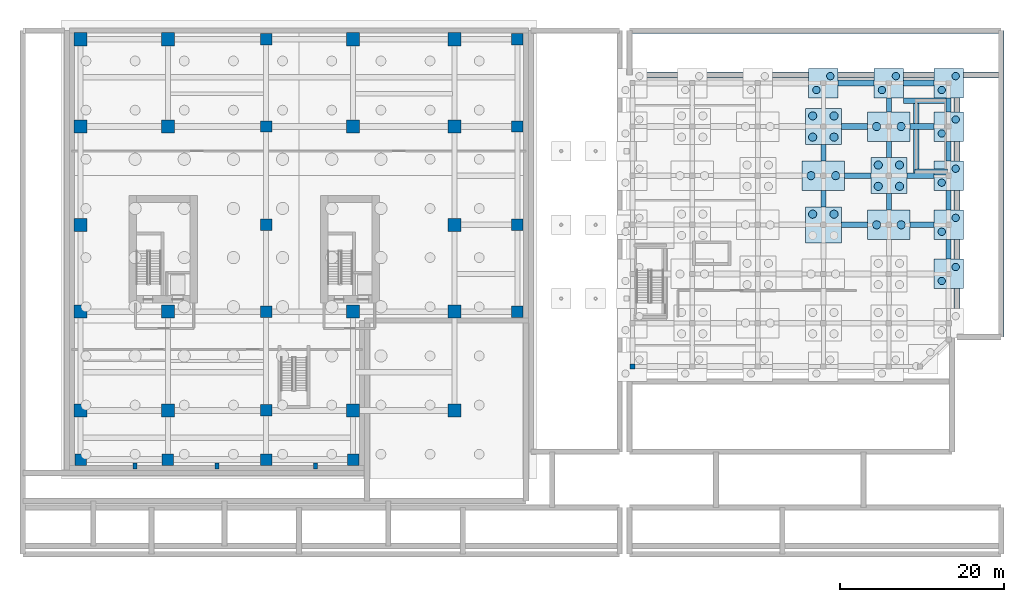
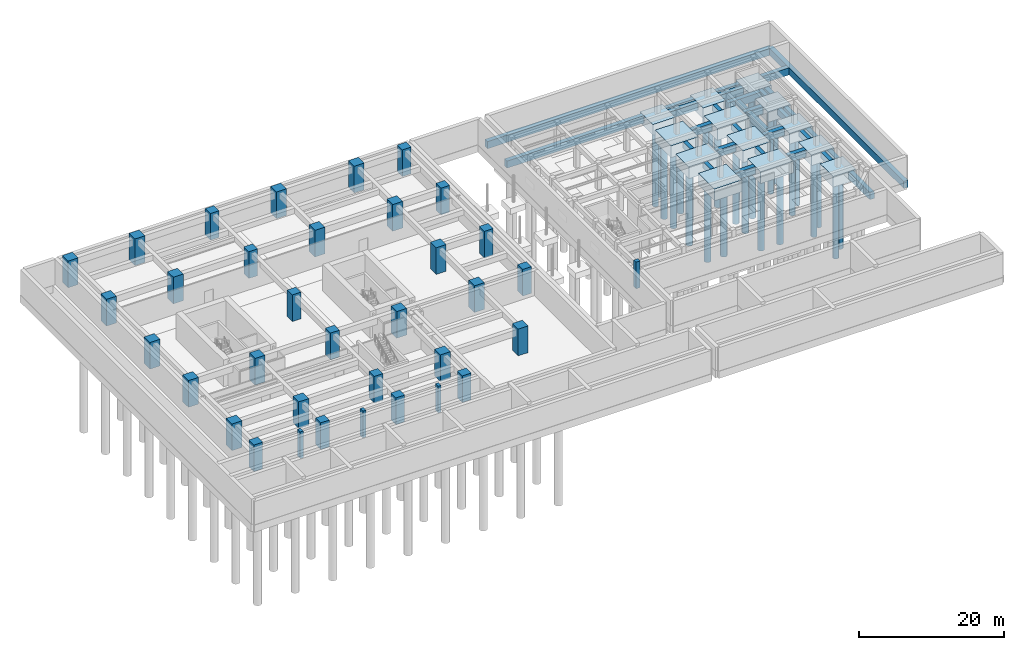
# One storey, part 3 of 14: 37 footings, 35 columns, 30 piles.
"""IFC4 building model written with IfcOpenShell, lengths in metres."""

from ifc_helpers import new_model, si_unit, direction, frame, origin, origin_2d, place, context, subcontext, project, spatial, rectangle, circle, extrude, source, transform, mapped, material, material_profile, profile_set, type_object, element, save


model = new_model("IFC4")

# Units and contexts
model_context = context("Model", 3, precision=1e-05, world=origin(), true_north=direction((0.0, 1.0)))
body_context = subcontext(model_context, "Body", "Model", "MODEL_VIEW")
ifc_project = project(units=[si_unit("LENGTHUNIT", "METRE"), si_unit("AREAUNIT", "SQUARE_METRE"), si_unit("VOLUMEUNIT", "CUBIC_METRE"), si_unit("PLANEANGLEUNIT", "RADIAN"), si_unit("MASSUNIT", "GRAM", prefix="KILO")], contexts=[model_context])

# Site, building, storey
site_placement = place(None, origin())
site = spatial("IfcSite", under=ifc_project, at=site_placement, CompositionType="ELEMENT")
building_placement = place(site_placement, origin())
building = spatial("IfcBuilding", under=site, at=building_placement, Name="Khoralis Quay Care Tower", CompositionType="ELEMENT")
storey_placement = place(building_placement, frame((0.0, 0.0, -4.5)))
storey = spatial("IfcBuildingStorey", under=building, at=storey_placement, Name="B1", CompositionType="ELEMENT", Elevation=-4.5)

# Footings
ifc_material_1 = material(Name="Concrete C50/60", Category="concrete")
footing_type_1 = type_object("IfcFootingType", Name="FT-PC-3600", PredefinedType="PILE_CAP", material=ifc_material_1)
shared_shape_1 = source(origin(), body_context, "Body", "SweptSolid", [
    extrude(rectangle(XDim=3.60009765625, YDim=3.60009765625, at=origin_2d()), origin(), (0.0, 0.0, 1.0), 1.800048828125),
])
for number, where, z_axis, x_axis, name in (
    (1, (92.0, 41.300048828125, -1.7998046875), (0.0, 0.0, 1.0), (1.0, 0.0, 0.0), "School Pile Cap 28"),
    (2, (100.0, 41.300048828125, -1.7998046875), (0.0, 0.0, 1.0), (1.0, 0.0, 0.0), "School Pile Cap 35"),
    (3, (107.300048828125, 18.0, -1.7998046875), (0.0, 0.0, 1.0), (1.0, 0.0, 0.0), "School Pile Cap 38"),
    (4, (107.300048828125, 24.0, -1.7998046875), (0.0, 0.0, 1.0), (1.0, 0.0, 0.0), "School Pile Cap 39"),
    (5, (107.300048828125, 30.0, -1.7998046875), (0.0, 0.0, 1.0), (1.0, 0.0, 0.0), "School Pile Cap 40"),
    (6, (107.300048828125, 36.0, -1.7998046875), (0.0, 0.0, 1.0), (1.0, 0.0, 0.0), "School Pile Cap 41"),
    (7, (107.300048828125, 41.300048828125, -1.7998046875), (0.0, 0.0, 1.0), (1.0, 0.0, 0.0), "School Pile Cap 42"),
):
    element("IfcFooting", number, at=place(storey_placement, frame(where, z_axis=z_axis, x_axis=x_axis)), inside=storey, type_object=footing_type_1, Name=name, PredefinedType="PILE_CAP", context=body_context, shape_type="MappedRepresentation", body=[
        mapped(shared_shape_1, transform((0.0, 0.0, 0.0), scale=1.0)),
    ])

# Piles
ifc_material_profile_1 = material_profile(ifc_material_1, circle(Radius=0.449951171875, at=origin_2d()), Name="Concrete C50/60")
ifc_profile_set_1 = profile_set([ifc_material_profile_1], Name="Concrete C50/60")
pile_type_1 = type_object("IfcPileType", Name="PL-BORED-900", PredefinedType="BORED", material=ifc_profile_set_1)
shared_shape_2 = source(origin(), body_context, "Body", "SweptSolid", [
    extrude(circle(Radius=0.449951171875, at=origin_2d()), origin(), (0.0, 0.0, 1.0), 12.800048828125),
])
for number, where, z_axis, x_axis, name in (
    (8, (91.14990234375, 40.449951171875, -1.699951171875), (0.0, 0.0, -1.0), (1.0, 0.0, 0.0), "School Bored Pile 071"),
    (9, (92.85009765625, 42.14990234375, -1.699951171875), (0.0, 0.0, -1.0), (1.0, 0.0, 0.0), "School Bored Pile 072"),
    (10, (99.14990234375, 40.449951171875, -1.699951171875), (0.0, 0.0, -1.0), (1.0, 0.0, 0.0), "School Bored Pile 091"),
    (11, (100.85009765625, 42.14990234375, -1.699951171875), (0.0, 0.0, -1.0), (1.0, 0.0, 0.0), "School Bored Pile 092"),
    (12, (106.449951171875, 17.14990234375, -1.699951171875), (0.0, 0.0, -1.0), (1.0, 0.0, 0.0), "School Bored Pile 097"),
    (13, (108.14990234375, 18.85009765625, -1.699951171875), (0.0, 0.0, -1.0), (1.0, 0.0, 0.0), "School Bored Pile 098"),
    (14, (106.449951171875, 23.14990234375, -1.699951171875), (0.0, 0.0, -1.0), (1.0, 0.0, 0.0), "School Bored Pile 099"),
    (15, (108.14990234375, 24.85009765625, -1.699951171875), (0.0, 0.0, -1.0), (1.0, 0.0, 0.0), "School Bored Pile 100"),
    (16, (106.449951171875, 29.14990234375, -1.699951171875), (0.0, 0.0, -1.0), (1.0, 0.0, 0.0), "School Bored Pile 101"),
    (17, (108.14990234375, 30.85009765625, -1.699951171875), (0.0, 0.0, -1.0), (1.0, 0.0, 0.0), "School Bored Pile 102"),
    (18, (106.449951171875, 35.14990234375, -1.699951171875), (0.0, 0.0, -1.0), (1.0, 0.0, 0.0), "School Bored Pile 103"),
    (19, (108.14990234375, 36.85009765625, -1.699951171875), (0.0, 0.0, -1.0), (1.0, 0.0, 0.0), "School Bored Pile 104"),
    (20, (106.449951171875, 40.449951171875, -1.699951171875), (0.0, 0.0, -1.0), (1.0, 0.0, 0.0), "School Bored Pile 105"),
    (21, (108.14990234375, 42.14990234375, -1.699951171875), (0.0, 0.0, -1.0), (1.0, 0.0, 0.0), "School Bored Pile 106"),
):
    element("IfcPile", number, at=place(storey_placement, frame(where, z_axis=z_axis, x_axis=x_axis)), inside=storey, type_object=pile_type_1, Name=name, PredefinedType="BORED", context=body_context, shape_type="MappedRepresentation", body=[
        mapped(shared_shape_2, transform((0.0, 0.0, 0.0), scale=1.0)),
    ])

# Footings
footing_type_2 = type_object("IfcFootingType", Name="FT-PC-4400", PredefinedType="PILE_CAP", material=ifc_material_1)
shared_shape_3 = source(origin(), body_context, "Body", "SweptSolid", [
    extrude(rectangle(XDim=4.39990234375, YDim=4.39990234375, at=origin_2d()), origin(), (0.0, 0.0, 1.0), 2.0),
])
for number, where, z_axis, x_axis, name in (
    (22, (92.0, 24.0, -2.0), (0.0, 0.0, 1.0), (1.0, 0.0, 0.0), "School Pile Cap 25"),
    (23, (92.0, 36.0, -2.0), (0.0, 0.0, 1.0), (1.0, 0.0, 0.0), "School Pile Cap 27"),
    (24, (100.0, 30.0, -2.0), (0.0, 0.0, 1.0), (1.0, 0.0, 0.0), "School Pile Cap 33"),
):
    element("IfcFooting", number, at=place(storey_placement, frame(where, z_axis=z_axis, x_axis=x_axis)), inside=storey, type_object=footing_type_2, Name=name, PredefinedType="PILE_CAP", context=body_context, shape_type="MappedRepresentation", body=[
        mapped(shared_shape_3, transform((0.0, 0.0, 0.0), scale=1.0)),
    ])

# Piles
ifc_material_profile_2 = material_profile(ifc_material_1, circle(Radius=0.5, at=origin_2d()), Name="Concrete C50/60")
ifc_profile_set_2 = profile_set([ifc_material_profile_2], Name="Concrete C50/60")
pile_type_2 = type_object("IfcPileType", Name="PL-BORED-1000", PredefinedType="BORED", material=ifc_profile_set_2)
shared_shape_4 = source(origin(), body_context, "Body", "SweptSolid", [
    extrude(circle(Radius=0.5, at=origin_2d()), origin(), (0.0, 0.0, 1.0), 12.60009765625),
])
for number, where, z_axis, x_axis, name in (
    (25, (90.699951171875, 25.300048828125, -1.89990234375), (0.0, 0.0, -1.0), (1.0, 0.0, 0.0), "School Bored Pile 063"),
    (26, (93.300048828125, 25.300048828125, -1.89990234375), (0.0, 0.0, -1.0), (1.0, 0.0, 0.0), "School Bored Pile 064"),
    (27, (90.5, 30.0, -1.89990234375), (0.0, 0.0, -1.0), (1.0, 0.0, 0.0), "School Bored Pile 065"),
    (28, (93.5, 30.0, -1.89990234375), (0.0, 0.0, -1.0), (1.0, 0.0, 0.0), "School Bored Pile 066"),
    (29, (90.699951171875, 34.699951171875, -1.89990234375), (0.0, 0.0, -1.0), (1.0, 0.0, 0.0), "School Bored Pile 067"),
    (30, (93.300048828125, 34.699951171875, -1.89990234375), (0.0, 0.0, -1.0), (1.0, 0.0, 0.0), "School Bored Pile 068"),
    (31, (90.699951171875, 37.300048828125, -1.89990234375), (0.0, 0.0, -1.0), (1.0, 0.0, 0.0), "School Bored Pile 069"),
    (32, (93.300048828125, 37.300048828125, -1.89990234375), (0.0, 0.0, -1.0), (1.0, 0.0, 0.0), "School Bored Pile 070"),
    (33, (98.5, 24.0, -1.89990234375), (0.0, 0.0, -1.0), (1.0, 0.0, 0.0), "School Bored Pile 083"),
    (34, (101.5, 24.0, -1.89990234375), (0.0, 0.0, -1.0), (1.0, 0.0, 0.0), "School Bored Pile 084"),
    (35, (98.699951171875, 28.699951171875, -1.89990234375), (0.0, 0.0, -1.0), (1.0, 0.0, 0.0), "School Bored Pile 085"),
    (36, (101.300048828125, 28.699951171875, -1.89990234375), (0.0, 0.0, -1.0), (1.0, 0.0, 0.0), "School Bored Pile 086"),
    (37, (98.699951171875, 31.300048828125, -1.89990234375), (0.0, 0.0, -1.0), (1.0, 0.0, 0.0), "School Bored Pile 087"),
    (38, (101.300048828125, 31.300048828125, -1.89990234375), (0.0, 0.0, -1.0), (1.0, 0.0, 0.0), "School Bored Pile 088"),
    (39, (98.5, 36.0, -1.89990234375), (0.0, 0.0, -1.0), (1.0, 0.0, 0.0), "School Bored Pile 089"),
    (40, (101.5, 36.0, -1.89990234375), (0.0, 0.0, -1.0), (1.0, 0.0, 0.0), "School Bored Pile 090"),
):
    element("IfcPile", number, at=place(storey_placement, frame(where, z_axis=z_axis, x_axis=x_axis)), inside=storey, type_object=pile_type_2, Name=name, PredefinedType="BORED", context=body_context, shape_type="MappedRepresentation", body=[
        mapped(shared_shape_4, transform((0.0, 0.0, 0.0), scale=1.0)),
    ])

# Footings
footing_type_3 = type_object("IfcFootingType", Name="FT-PC-5200X3600", PredefinedType="PILE_CAP", material=ifc_material_1)
shared_shape_5 = source(origin(), body_context, "Body", "SweptSolid", [
    extrude(rectangle(XDim=5.199951171875, YDim=3.60009765625, at=origin_2d()), origin(), (0.0, 0.0, 1.0), 2.0),
])
for number, where, z_axis, x_axis, name in (
    (41, (92.0, 30.0, -2.0), (0.0, 0.0, 1.0), (1.0, 0.0, 0.0), "School Pile Cap 26"),
    (42, (100.0, 24.0, -2.0), (0.0, 0.0, 1.0), (1.0, 0.0, 0.0), "School Pile Cap 32"),
    (43, (100.0, 36.0, -2.0), (0.0, 0.0, 1.0), (1.0, 0.0, 0.0), "School Pile Cap 34"),
):
    element("IfcFooting", number, at=place(storey_placement, frame(where, z_axis=z_axis, x_axis=x_axis)), inside=storey, type_object=footing_type_3, Name=name, PredefinedType="PILE_CAP", context=body_context, shape_type="MappedRepresentation", body=[
        mapped(shared_shape_5, transform((0.0, 0.0, 0.0), scale=1.0)),
    ])
ifc_material_profile_3 = material_profile(ifc_material_1, rectangle(XDim=0.699951171875, YDim=1.199951171875, at=origin_2d()), Name="Concrete C50/60")
ifc_profile_set_3 = profile_set([ifc_material_profile_3], Name="Concrete C50/60")
footing_type_4 = type_object("IfcFootingType", Name="FT-GB-700X1200", PredefinedType="FOOTING_BEAM", material=ifc_profile_set_3)
shared_shape_6 = source(origin(), body_context, "Body", "SweptSolid", [
    extrude(rectangle(XDim=0.699951171875, YDim=1.199951171875, at=origin_2d()), origin(), (0.0, 0.0, 1.0), 3.699951171875),
])
footing_1_placement = place(storey_placement, frame((101.800048828125, 41.300048828125, -0.60009765625), z_axis=(1.0, 0.0, 0.0), x_axis=(0.0, 1.0, 0.0)))
element("IfcFooting", 44, at=footing_1_placement, inside=storey, type_object=footing_type_4, Name="School Longitudinal Ground Beam 034", PredefinedType="FOOTING_BEAM", context=body_context, shape_type="MappedRepresentation", body=[
    mapped(shared_shape_6, transform((0.0, 0.0, 0.0), scale=1.0)),
])
shared_shape_7 = source(origin(), body_context, "Body", "SweptSolid", [
    extrude(rectangle(XDim=0.699951171875, YDim=1.199951171875, at=origin_2d()), origin(), (0.0, 0.0, 1.0), 4.39990234375),
])
footing_2_placement = place(storey_placement, frame((93.800048828125, 41.300048828125, -0.60009765625), z_axis=(1.0, 0.0, 0.0), x_axis=(0.0, 1.0, 0.0)))
element("IfcFooting", 45, at=footing_2_placement, inside=storey, type_object=footing_type_4, Name="School Longitudinal Ground Beam 033", PredefinedType="FOOTING_BEAM", context=body_context, shape_type="MappedRepresentation", body=[
    mapped(shared_shape_7, transform((0.0, 0.0, 0.0), scale=1.0)),
])
shared_shape_8 = source(origin(), body_context, "Body", "SweptSolid", [
    extrude(rectangle(XDim=0.699951171875, YDim=1.199951171875, at=origin_2d()), origin(), (0.0, 0.0, 1.0), 3.300048828125),
])
footing_3_placement = place(storey_placement, frame((102.199951171875, 30.0, -0.60009765625), z_axis=(1.0, 0.0, 0.0), x_axis=(0.0, 1.0, 0.0)))
element("IfcFooting", 46, at=footing_3_placement, inside=storey, type_object=footing_type_4, Name="School Longitudinal Ground Beam 024", PredefinedType="FOOTING_BEAM", context=body_context, shape_type="MappedRepresentation", body=[
    mapped(shared_shape_8, transform((0.0, 0.0, 0.0), scale=1.0)),
])
shared_shape_9 = source(origin(), body_context, "Body", "SweptSolid", [
    extrude(rectangle(XDim=0.699951171875, YDim=1.199951171875, at=origin_2d()), origin(), (0.0, 0.0, 1.0), 3.199951171875),
])
for number, where, z_axis, x_axis, name in (
    (47, (94.199951171875, 24.0, -0.60009765625), (1.0, 0.0, 0.0), (0.0, 1.0, 0.0), "School Longitudinal Ground Beam 018"),
    (48, (94.60009765625, 30.0, -0.60009765625), (1.0, 0.0, 0.0), (0.0, 1.0, 0.0), "School Longitudinal Ground Beam 023"),
    (49, (94.199951171875, 36.0, -0.60009765625), (1.0, 0.0, 0.0), (0.0, 1.0, 0.0), "School Longitudinal Ground Beam 028"),
):
    element("IfcFooting", number, at=place(storey_placement, frame(where, z_axis=z_axis, x_axis=x_axis)), inside=storey, type_object=footing_type_4, Name=name, PredefinedType="FOOTING_BEAM", context=body_context, shape_type="MappedRepresentation", body=[
        mapped(shared_shape_9, transform((0.0, 0.0, 0.0), scale=1.0)),
    ])
shared_shape_10 = source(origin(), body_context, "Body", "SweptSolid", [
    extrude(rectangle(XDim=0.699951171875, YDim=1.199951171875, at=origin_2d()), origin(), (0.0, 0.0, 1.0), 2.89990234375),
])
for number, where, z_axis, x_axis, name in (
    (50, (102.60009765625, 24.0, -0.60009765625), (1.0, 0.0, 0.0), (0.0, 1.0, 0.0), "School Longitudinal Ground Beam 019"),
    (51, (102.60009765625, 36.0, -0.60009765625), (1.0, 0.0, 0.0), (0.0, 1.0, 0.0), "School Longitudinal Ground Beam 029"),
):
    element("IfcFooting", number, at=place(storey_placement, frame(where, z_axis=z_axis, x_axis=x_axis)), inside=storey, type_object=footing_type_4, Name=name, PredefinedType="FOOTING_BEAM", context=body_context, shape_type="MappedRepresentation", body=[
        mapped(shared_shape_10, transform((0.0, 0.0, 0.0), scale=1.0)),
    ])
ifc_material_profile_4 = material_profile(ifc_material_1, rectangle(XDim=0.60009765625, YDim=1.0, at=origin_2d()), Name="Concrete C50/60")
ifc_profile_set_4 = profile_set([ifc_material_profile_4], Name="Concrete C50/60")
footing_type_5 = type_object("IfcFootingType", Name="FT-GB-600X1000", PredefinedType="FOOTING_BEAM", material=ifc_profile_set_4)
shared_shape_11 = source(origin(), body_context, "Body", "SweptSolid", [
    extrude(rectangle(XDim=0.60009765625, YDim=1.0, at=origin_2d()), origin(), (0.0, 0.0, 1.0), 1.699951171875),
])
for number, where, z_axis, x_axis, name in (
    (52, (100.0, 37.800048828125, -0.5), (0.0, 1.0, 0.0), (-1.0, 0.0, 0.0), "School Transverse Ground Beam 059"),
    (53, (107.300048828125, 37.800048828125, -0.5), (0.0, 1.0, 0.0), (-1.0, 0.0, 0.0), "School Transverse Ground Beam 064"),
):
    element("IfcFooting", number, at=place(storey_placement, frame(where, z_axis=z_axis, x_axis=x_axis)), inside=storey, type_object=footing_type_5, Name=name, PredefinedType="FOOTING_BEAM", context=body_context, shape_type="MappedRepresentation", body=[
        mapped(shared_shape_11, transform((0.0, 0.0, 0.0), scale=1.0)),
    ])
shared_shape_12 = source(origin(), body_context, "Body", "SweptSolid", [
    extrude(rectangle(XDim=0.60009765625, YDim=1.0, at=origin_2d()), origin(), (0.0, 0.0, 1.0), 2.39990234375),
])
for number, where, z_axis, x_axis, name in (
    (54, (107.300048828125, 19.800048828125, -0.5), (0.0, 1.0, 0.0), (-1.0, 0.0, 0.0), "School Transverse Ground Beam 061"),
    (55, (107.300048828125, 25.800048828125, -0.5), (0.0, 1.0, 0.0), (-1.0, 0.0, 0.0), "School Transverse Ground Beam 062"),
    (56, (107.300048828125, 31.800048828125, -0.5), (0.0, 1.0, 0.0), (-1.0, 0.0, 0.0), "School Transverse Ground Beam 063"),
):
    element("IfcFooting", number, at=place(storey_placement, frame(where, z_axis=z_axis, x_axis=x_axis)), inside=storey, type_object=footing_type_5, Name=name, PredefinedType="FOOTING_BEAM", context=body_context, shape_type="MappedRepresentation", body=[
        mapped(shared_shape_12, transform((0.0, 0.0, 0.0), scale=1.0)),
    ])
shared_shape_13 = source(origin(), body_context, "Body", "SweptSolid", [
    extrude(rectangle(XDim=0.60009765625, YDim=1.0, at=origin_2d()), origin(), (0.0, 0.0, 1.0), 2.0),
])
for number, where, z_axis, x_axis, name in (
    (57, (92.0, 26.199951171875, -0.5), (0.0, 1.0, 0.0), (-1.0, 0.0, 0.0), "School Transverse Ground Beam 053"),
    (58, (92.0, 31.800048828125, -0.5), (0.0, 1.0, 0.0), (-1.0, 0.0, 0.0), "School Transverse Ground Beam 054"),
    (59, (100.0, 25.800048828125, -0.5), (0.0, 1.0, 0.0), (-1.0, 0.0, 0.0), "School Transverse Ground Beam 057"),
    (60, (100.0, 32.199951171875, -0.5), (0.0, 1.0, 0.0), (-1.0, 0.0, 0.0), "School Transverse Ground Beam 058"),
):
    element("IfcFooting", number, at=place(storey_placement, frame(where, z_axis=z_axis, x_axis=x_axis)), inside=storey, type_object=footing_type_5, Name=name, PredefinedType="FOOTING_BEAM", context=body_context, shape_type="MappedRepresentation", body=[
        mapped(shared_shape_13, transform((0.0, 0.0, 0.0), scale=1.0)),
    ])
shared_shape_14 = source(origin(), body_context, "Body", "SweptSolid", [
    extrude(rectangle(XDim=0.699951171875, YDim=1.199951171875, at=origin_2d()), origin(), (0.0, 0.0, 1.0), 32.0),
])
footing_4_placement = place(storey_placement, frame((108.300048828125, 10.300048828125, -0.60400390625), z_axis=(0.0, 1.0, 0.0), x_axis=(-1.0, 0.0, 0.0)))
element("IfcFooting", 61, at=footing_4_placement, inside=storey, type_object=footing_type_4, Name="Quay Substructure Strip Footing Beam 22", PredefinedType="FOOTING_BEAM", context=body_context, shape_type="MappedRepresentation", body=[
    mapped(shared_shape_14, transform((0.0, 0.0, 0.0), scale=1.0)),
])
shared_shape_15 = source(origin(), body_context, "Body", "SweptSolid", [
    extrude(rectangle(XDim=0.699951171875, YDim=1.199951171875, at=origin_2d()), origin(), (0.0, 0.0, 1.0), 37.39990234375),
])
footing_5_placement = place(storey_placement, frame((113.699951171875, 10.300048828125, -0.60400390625), z_axis=(0.0, 1.0, 0.0), x_axis=(-1.0, 0.0, 0.0)))
element("IfcFooting", 62, at=footing_5_placement, inside=storey, type_object=footing_type_4, Name="Quay Substructure Strip Footing Beam 23", PredefinedType="FOOTING_BEAM", context=body_context, shape_type="MappedRepresentation", body=[
    mapped(shared_shape_15, transform((0.0, 0.0, 0.0), scale=1.0)),
])
shared_shape_16 = source(origin(), body_context, "Body", "SweptSolid", [
    extrude(rectangle(XDim=0.699951171875, YDim=1.199951171875, at=origin_2d()), origin(), (0.0, 0.0, 1.0), 45.349853515625),
])
for number, where, z_axis, x_axis, name in (
    (63, (68.35009765625, 42.300048828125, -0.60400390625), (1.0, 0.0, 0.0), (0.0, 1.0, 0.0), "Quay Substructure Strip Footing Beam 25"),
    (64, (68.35009765625, 47.699951171875, -0.60400390625), (1.0, 0.0, 0.0), (0.0, 1.0, 0.0), "Quay Substructure Strip Footing Beam 26"),
):
    element("IfcFooting", number, at=place(storey_placement, frame(where, z_axis=z_axis, x_axis=x_axis)), inside=storey, type_object=footing_type_4, Name=name, PredefinedType="FOOTING_BEAM", context=body_context, shape_type="MappedRepresentation", body=[
        mapped(shared_shape_16, transform((0.0, 0.0, 0.0), scale=1.0)),
    ])
shared_shape_17 = source(origin(), body_context, "Body", "SweptSolid", [
    extrude(rectangle(XDim=0.699951171875, YDim=1.199951171875, at=origin_2d()), origin(), (0.0, 0.0, 1.0), 3.9599609375),
])
footing_6_placement = place(storey_placement, frame((103.169921875, 30.445068359375, -0.60400390625), z_axis=(1.0, 0.0, 0.0), x_axis=(0.0, 1.0, 0.0)))
element("IfcFooting", 65, at=footing_6_placement, inside=storey, type_object=footing_type_4, Name="School Stair Shaft Strip Footing 4", PredefinedType="FOOTING_BEAM", context=body_context, shape_type="MappedRepresentation", body=[
    mapped(shared_shape_17, transform((0.0, 0.0, 0.0), scale=1.0)),
])
shared_shape_18 = source(origin(), body_context, "Body", "SweptSolid", [
    extrude(rectangle(XDim=0.699951171875, YDim=1.199951171875, at=origin_2d()), origin(), (0.0, 0.0, 1.0), 9.06005859375),
])
footing_7_placement = place(storey_placement, frame((103.344970703125, 30.27001953125, -0.60400390625), z_axis=(0.0, 1.0, 0.0), x_axis=(-1.0, 0.0, 0.0)))
element("IfcFooting", 66, at=footing_7_placement, inside=storey, type_object=footing_type_4, Name="School Stair Shaft Strip Footing 5", PredefinedType="FOOTING_BEAM", context=body_context, shape_type="MappedRepresentation", body=[
    mapped(shared_shape_18, transform((0.0, 0.0, 0.0), scale=1.0)),
])
shared_shape_19 = source(origin(), body_context, "Body", "SweptSolid", [
    extrude(rectangle(XDim=0.699951171875, YDim=1.199951171875, at=origin_2d()), origin(), (0.0, 0.0, 1.0), 5.31982421875),
])
footing_8_placement = place(storey_placement, frame((101.81005859375, 39.155029296875, -0.60400390625), z_axis=(1.0, 0.0, 0.0), x_axis=(0.0, 1.0, 0.0)))
element("IfcFooting", 67, at=footing_8_placement, inside=storey, type_object=footing_type_4, Name="School Stair Shaft Strip Footing 6", PredefinedType="FOOTING_BEAM", context=body_context, shape_type="MappedRepresentation", body=[
    mapped(shared_shape_19, transform((0.0, 0.0, 0.0), scale=1.0)),
])

# Columns
ifc_material_2 = material(Name="Concrete C80/95", Category="concrete")
ifc_material_profile_5 = material_profile(ifc_material_2, rectangle(XDim=1.39990234375, YDim=1.39990234375, at=origin_2d()), Name="Concrete C80/95")
ifc_profile_set_5 = profile_set([ifc_material_profile_5], Name="Concrete C80/95")
column_type_1 = type_object("IfcColumnType", Name="COL-MC1400", PredefinedType="COLUMN", material=ifc_profile_set_5)
shared_shape_20 = source(origin(), body_context, "Body", "SweptSolid", [
    extrude(rectangle(XDim=1.39990234375, YDim=1.39990234375, at=origin_2d()), origin(), (0.0, 0.0, 1.0), 4.5),
])
for number, where, z_axis, x_axis, name in (
    (68, (1.35009765625, -4.64990234375, 0.0), (0.0, 0.0, 1.0), (1.0, 0.0, 0.0), "B1 Mega column COL-POD-B1-01"),
    (69, (12.0, -4.64990234375, 0.0), (0.0, 0.0, 1.0), (1.0, 0.0, 0.0), "B1 Mega column COL-POD-B1-07"),
    (70, (24.0, -4.64990234375, 0.0), (0.0, 0.0, 1.0), (1.0, 0.0, 0.0), "B1 Mega column COL-POD-B1-12"),
    (71, (24.0, 1.35009765625, 0.0), (0.0, 0.0, 1.0), (1.0, 0.0, 0.0), "B1 Mega column COL-POD-B1-13"),
    (72, (24.0, 13.39990234375, 0.0), (0.0, 0.0, 1.0), (1.0, 0.0, 0.0), "B1 Mega column COL-POD-B1-14"),
    (73, (24.0, 24.0, 0.0), (0.0, 0.0, 1.0), (1.0, 0.0, 0.0), "B1 Mega column COL-POD-B1-15"),
    (74, (24.0, 36.0, 0.0), (0.0, 0.0, 1.0), (1.0, 0.0, 0.0), "B1 Mega column COL-POD-B1-16"),
    (75, (24.0, 46.64990234375, 0.0), (0.0, 0.0, 1.0), (1.0, 0.0, 0.0), "B1 Mega column COL-POD-B1-17"),
    (76, (34.60009765625, -4.64990234375, 0.0), (0.0, 0.0, 1.0), (1.0, 0.0, 0.0), "B1 Mega column COL-POD-B1-18"),
    (77, (54.64990234375, 13.39990234375, 0.0), (0.0, 0.0, 1.0), (1.0, 0.0, 0.0), "B1 Mega column COL-POD-B1-28"),
    (78, (54.64990234375, 24.0, 0.0), (0.0, 0.0, 1.0), (1.0, 0.0, 0.0), "B1 Mega column COL-POD-B1-29"),
    (79, (54.64990234375, 36.0, 0.0), (0.0, 0.0, 1.0), (1.0, 0.0, 0.0), "B1 Mega column COL-POD-B1-30"),
    (80, (54.64990234375, 46.64990234375, 0.0), (0.0, 0.0, 1.0), (1.0, 0.0, 0.0), "B1 Mega column COL-POD-B1-31"),
):
    element("IfcColumn", number, at=place(storey_placement, frame(where, z_axis=z_axis, x_axis=x_axis)), inside=storey, type_object=column_type_1, Name=name, PredefinedType="COLUMN", context=body_context, shape_type="MappedRepresentation", body=[
        mapped(shared_shape_20, transform((0.0, 0.0, 0.0), scale=1.0)),
    ])
ifc_material_profile_6 = material_profile(ifc_material_2, rectangle(XDim=1.60009765625, YDim=1.60009765625, at=origin_2d()), Name="Concrete C80/95")
ifc_profile_set_6 = profile_set([ifc_material_profile_6], Name="Concrete C80/95")
column_type_2 = type_object("IfcColumnType", Name="COL-MC1600", PredefinedType="COLUMN", material=ifc_profile_set_6)
shared_shape_21 = source(origin(), body_context, "Body", "SweptSolid", [
    extrude(rectangle(XDim=1.60009765625, YDim=1.60009765625, at=origin_2d()), origin(), (0.0, 0.0, 1.0), 4.5),
])
for number, where, z_axis, x_axis, name in (
    (81, (1.35009765625, 1.35009765625, 0.0), (0.0, 0.0, 1.0), (1.0, 0.0, 0.0), "B1 Mega column COL-POD-B1-02"),
    (82, (1.35009765625, 13.39990234375, 0.0), (0.0, 0.0, 1.0), (1.0, 0.0, 0.0), "B1 Mega column COL-POD-B1-03"),
    (83, (1.35009765625, 24.0, 0.0), (0.0, 0.0, 1.0), (1.0, 0.0, 0.0), "B1 Mega column COL-POD-B1-04"),
    (84, (1.35009765625, 36.0, 0.0), (0.0, 0.0, 1.0), (1.0, 0.0, 0.0), "B1 Mega column COL-POD-B1-05"),
    (85, (1.35009765625, 46.64990234375, 0.0), (0.0, 0.0, 1.0), (1.0, 0.0, 0.0), "B1 Mega column COL-POD-B1-06"),
    (86, (12.0, 1.35009765625, 0.0), (0.0, 0.0, 1.0), (1.0, 0.0, 0.0), "B1 Mega column COL-POD-B1-08"),
    (87, (12.0, 13.39990234375, 0.0), (0.0, 0.0, 1.0), (1.0, 0.0, 0.0), "B1 Mega column COL-POD-B1-09"),
    (88, (12.0, 36.0, 0.0), (0.0, 0.0, 1.0), (1.0, 0.0, 0.0), "B1 Mega column COL-POD-B1-10"),
    (89, (12.0, 46.64990234375, 0.0), (0.0, 0.0, 1.0), (1.0, 0.0, 0.0), "B1 Mega column COL-POD-B1-11"),
    (90, (34.60009765625, 1.35009765625, 0.0), (0.0, 0.0, 1.0), (1.0, 0.0, 0.0), "B1 Mega column COL-POD-B1-19"),
    (91, (34.60009765625, 13.39990234375, 0.0), (0.0, 0.0, 1.0), (1.0, 0.0, 0.0), "B1 Mega column COL-POD-B1-20"),
    (92, (34.60009765625, 36.0, 0.0), (0.0, 0.0, 1.0), (1.0, 0.0, 0.0), "B1 Mega column COL-POD-B1-21"),
    (93, (34.60009765625, 46.64990234375, 0.0), (0.0, 0.0, 1.0), (1.0, 0.0, 0.0), "B1 Mega column COL-POD-B1-22"),
    (94, (47.0, 1.35009765625, 0.0), (0.0, 0.0, 1.0), (1.0, 0.0, 0.0), "B1 Mega column COL-POD-B1-23"),
    (95, (47.0, 13.39990234375, 0.0), (0.0, 0.0, 1.0), (1.0, 0.0, 0.0), "B1 Mega column COL-POD-B1-24"),
    (96, (47.0, 24.0, 0.0), (0.0, 0.0, 1.0), (1.0, 0.0, 0.0), "B1 Mega column COL-POD-B1-25"),
    (97, (47.0, 36.0, 0.0), (0.0, 0.0, 1.0), (1.0, 0.0, 0.0), "B1 Mega column COL-POD-B1-26"),
    (98, (47.0, 46.64990234375, 0.0), (0.0, 0.0, 1.0), (1.0, 0.0, 0.0), "B1 Mega column COL-POD-B1-27"),
):
    element("IfcColumn", number, at=place(storey_placement, frame(where, z_axis=z_axis, x_axis=x_axis)), inside=storey, type_object=column_type_2, Name=name, PredefinedType="COLUMN", context=body_context, shape_type="MappedRepresentation", body=[
        mapped(shared_shape_21, transform((0.0, 0.0, 0.0), scale=1.0)),
    ])
ifc_material_profile_7 = material_profile(ifc_material_1, rectangle(XDim=0.5, YDim=0.75, at=origin_2d()), Name="Concrete C50/60")
ifc_profile_set_7 = profile_set([ifc_material_profile_7], Name="Concrete C50/60")
column_type_3 = type_object("IfcColumnType", Name="COL-PIL500X750", PredefinedType="PILASTER", material=ifc_profile_set_7)
shared_shape_22 = source(origin(), body_context, "Body", "SweptSolid", [
    extrude(rectangle(XDim=0.5, YDim=0.75, at=origin_2d()), origin(), (0.0, 0.0, 1.0), 4.5),
])
for number, where, z_axis, x_axis, name in (
    (99, (8.0, -5.449951171875, 0.0), (0.0, 0.0, 1.0), (1.0, 0.0, 0.0), "B1 Waterfront Colonnade Pilaster 1"),
    (100, (18.0, -5.449951171875, 0.0), (0.0, 0.0, 1.0), (1.0, 0.0, 0.0), "B1 Waterfront Colonnade Pilaster 2"),
    (101, (30.0, -5.449951171875, 0.0), (0.0, 0.0, 1.0), (1.0, 0.0, 0.0), "B1 Waterfront Colonnade Pilaster 3"),
):
    element("IfcColumn", number, at=place(storey_placement, frame(where, z_axis=z_axis, x_axis=x_axis)), inside=storey, type_object=column_type_3, Name=name, PredefinedType="PILASTER", context=body_context, shape_type="MappedRepresentation", body=[
        mapped(shared_shape_22, transform((0.0, 0.0, 0.0), scale=1.0)),
    ])
ifc_material_3 = material(Name="Concrete C40/50", Category="concrete")
ifc_material_profile_8 = material_profile(ifc_material_3, rectangle(XDim=0.64990234375, YDim=0.64990234375, at=origin_2d()), Name="Concrete C40/50")
ifc_profile_set_8 = profile_set([ifc_material_profile_8], Name="Concrete C40/50")
column_type_4 = type_object("IfcColumnType", Name="COL-SC650", PredefinedType="COLUMN", material=ifc_profile_set_8)
shared_shape_23 = source(origin(), body_context, "Body", "SweptSolid", [
    extrude(rectangle(XDim=0.64990234375, YDim=0.64990234375, at=origin_2d()), origin(), (0.0, 0.0, 1.0), 4.5),
])
column_placement = place(storey_placement, frame((68.699951171875, 6.699951171875, 0.0), z_axis=(0.0, 0.0, 1.0), x_axis=(1.0, 0.0, 0.0)))
element("IfcColumn", 102, at=column_placement, inside=storey, type_object=column_type_4, Name="COL-SCH-B1-01", PredefinedType="COLUMN", context=body_context, shape_type="MappedRepresentation", body=[
    mapped(shared_shape_23, transform((0.0, 0.0, 0.0), scale=1.0)),
])

save(model, "model.ifc")
